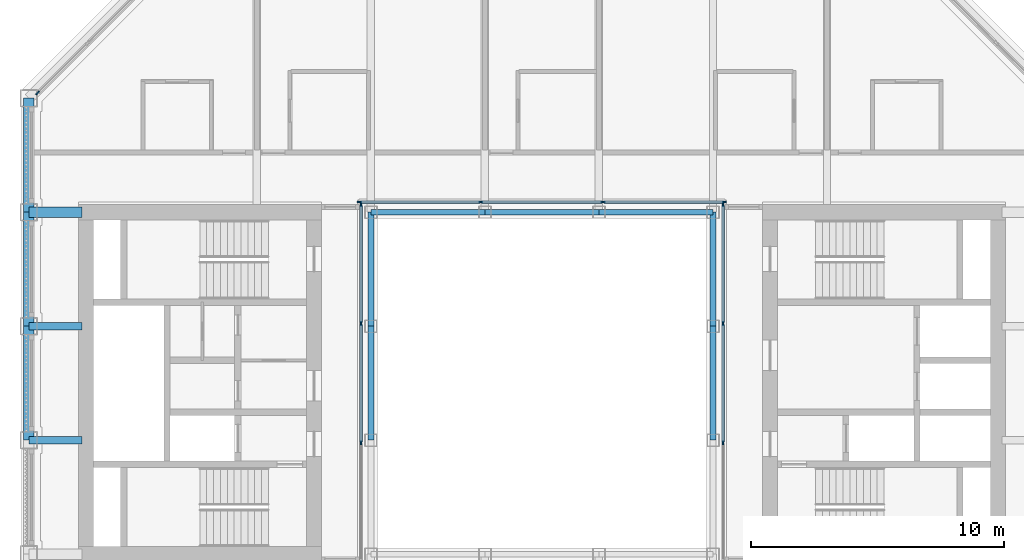
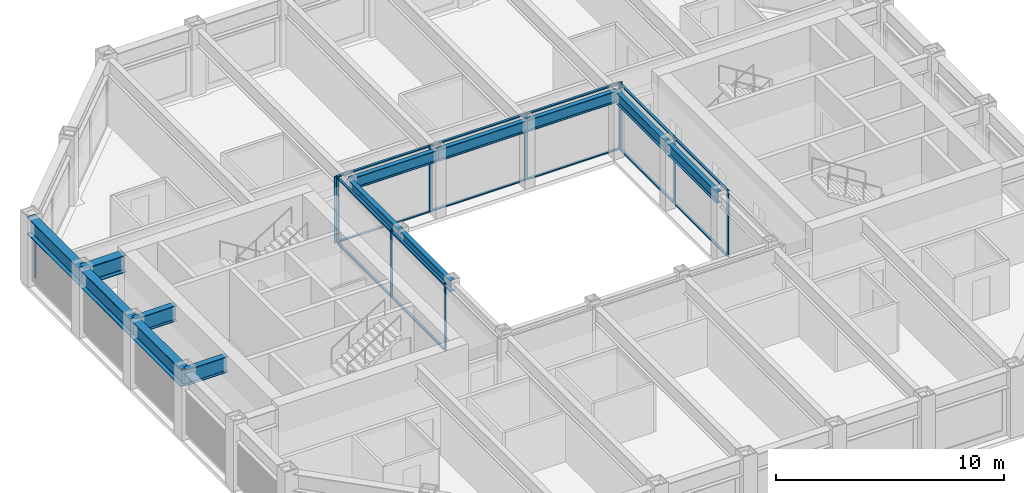
# One storey, part 4 of 16: 25 members, 13 beams, 4 elements without a shape of their own.
"""IFC4 building model written with IfcOpenShell, lengths in metres."""

from ifc_helpers import new_model, si_unit, direction, frame, origin, origin_2d, place, context, subcontext, project, spatial, rectangle, i_section, extrude, material, material_profile, profile_set, type_object, element, aggregate, save


model = new_model("IFC4")

# Units and contexts
model_context = context("Model", 3, precision=1e-05, world=origin(), true_north=direction((0.0, 1.0)))
body_context = subcontext(model_context, "Body", "Model", "MODEL_VIEW")
ifc_project = project(units=[si_unit("LENGTHUNIT", "METRE"), si_unit("AREAUNIT", "SQUARE_METRE"), si_unit("VOLUMEUNIT", "CUBIC_METRE"), si_unit("PLANEANGLEUNIT", "RADIAN"), si_unit("MASSUNIT", "GRAM", prefix="KILO")], contexts=[model_context])

# Site, building, storey
site_placement = place(None, origin())
site = spatial("IfcSite", under=ifc_project, at=site_placement, CompositionType="ELEMENT")
building_placement = place(site_placement, origin())
building = spatial("IfcBuilding", under=site, at=building_placement, Name="Msasa Ring Tower", CompositionType="ELEMENT")
storey_placement = place(building_placement, frame((0.0, 0.0, 215.800048828125)))
storey = spatial("IfcBuildingStorey", under=building, at=storey_placement, Name="L56", CompositionType="ELEMENT", Elevation=215.800048828125)

# Curtain wall, member
ifc_material_1 = material(Name="Aluminium curtain wall with clear glass", Category="aluminium")
curtain_wall_type_1 = type_object("IfcCurtainWallType", Name="CW-C CHAMFER CORNER CURTAIN WALL", PredefinedType="NOTDEFINED", material=ifc_material_1)
curtain_wall_1_placement = place(storey_placement, origin())
curtain_wall_1 = element("IfcCurtainWall", 1, at=curtain_wall_1_placement, inside=storey, type_object=curtain_wall_type_1, Name="Chamfer corner curtain wall NW L56", PredefinedType="NOTDEFINED")
ifc_material_2 = material(Name="Aluminium mullion", Category="aluminium")
ifc_material_profile_1 = material_profile(ifc_material_2, rectangle(XDim=0.06494140625, YDim=0.179931640625, at=origin_2d()), Name="AL 65x180")
ifc_profile_set_1 = profile_set([ifc_material_profile_1], Name="Aluminium mullion")
member_type_1 = type_object("IfcMemberType", Name="CW-C MULLION 65x180", PredefinedType="MULLION", material=ifc_profile_set_1)
member_1_placement = place(storey_placement, frame((-19.9052734375, 11.453369140625, 0.0), z_axis=(0.0, 0.0, 1.0), x_axis=(0.707106781187, -0.707106781187, 0.0)))
member_1 = element("IfcMember", 2, at=member_1_placement, type_object=member_type_1, Name="CW-C mullion 3", PredefinedType="MULLION", context=body_context, shape_type="SweptSolid", body=[
    extrude(rectangle(XDim=0.06494140625, YDim=0.179931640625, at=origin_2d()), origin(), (0.0, 0.0, 1.0), 2.62890625),
])
aggregate(curtain_wall_1, [member_1])

# Curtain wall, members
ifc_material_3 = material(Name="Aluminium curtain wall with clear glass", Category="aluminium")
curtain_wall_type_2 = type_object("IfcCurtainWallType", Name="CW-W LIGHT WELL CURTAIN WALL", PredefinedType="NOTDEFINED", material=ifc_material_3)
curtain_wall_2_placement = place(storey_placement, origin())
curtain_wall_2 = element("IfcCurtainWall", 3, at=curtain_wall_2_placement, inside=storey, type_object=curtain_wall_type_2, Name="Light well curtain wall N L56", PredefinedType="NOTDEFINED")
ifc_material_4 = material(Name="Aluminium mullion", Category="aluminium")
ifc_material_profile_2 = material_profile(ifc_material_4, rectangle(XDim=0.06005859375, YDim=0.159912109375, at=origin_2d()), Name="AL 60x160")
ifc_profile_set_2 = profile_set([ifc_material_profile_2], Name="Aluminium mullion")
member_type_2 = type_object("IfcMemberType", Name="CW-W MULLION 60x160", PredefinedType="MULLION", material=ifc_profile_set_2)
member_2_placement = place(storey_placement, frame((-7.199951171875, 7.14990234375, 0.0), z_axis=(0.0, 0.0, 1.0), x_axis=(0.0, 1.0, 0.0)))
member_2 = element("IfcMember", 4, at=member_2_placement, type_object=member_type_2, Name="CW-W mullion 1", PredefinedType="MULLION", context=body_context, shape_type="SweptSolid", body=[
    extrude(rectangle(XDim=0.06005859375, YDim=0.159912109375, at=origin_2d()), origin(), (0.0, 0.0, 1.0), 3.550048828125),
])
member_3_placement = place(storey_placement, frame((-2.409912109375, 7.14990234375, 0.0), z_axis=(0.0, 0.0, 1.0), x_axis=(0.0, 1.0, 0.0)))
member_3 = element("IfcMember", 5, at=member_3_placement, type_object=member_type_2, Name="CW-W mullion 2", PredefinedType="MULLION", context=body_context, shape_type="SweptSolid", body=[
    extrude(rectangle(XDim=0.06005859375, YDim=0.159912109375, at=origin_2d()), origin(), (0.0, 0.0, 1.0), 3.550048828125),
])
member_4_placement = place(storey_placement, frame((2.409912109375, 7.14990234375, 0.0), z_axis=(0.0, 0.0, 1.0), x_axis=(0.0, 1.0, 0.0)))
member_4 = element("IfcMember", 6, at=member_4_placement, type_object=member_type_2, Name="CW-W mullion 3", PredefinedType="MULLION", context=body_context, shape_type="SweptSolid", body=[
    extrude(rectangle(XDim=0.06005859375, YDim=0.159912109375, at=origin_2d()), origin(), (0.0, 0.0, 1.0), 3.550048828125),
])
member_5_placement = place(storey_placement, frame((7.199951171875, 7.14990234375, 0.0), z_axis=(0.0, 0.0, 1.0), x_axis=(0.0, 1.0, 0.0)))
member_5 = element("IfcMember", 7, at=member_5_placement, type_object=member_type_2, Name="CW-W mullion 4", PredefinedType="MULLION", context=body_context, shape_type="SweptSolid", body=[
    extrude(rectangle(XDim=0.06005859375, YDim=0.159912109375, at=origin_2d()), origin(), (0.0, 0.0, 1.0), 3.550048828125),
])

curtain_wall_3_placement = place(storey_placement, origin())
curtain_wall_3 = element("IfcCurtainWall", 8, at=curtain_wall_3_placement, inside=storey, type_object=curtain_wall_type_2, Name="Light well curtain wall E L56", PredefinedType="NOTDEFINED")
member_6_placement = place(storey_placement, frame((7.14990234375, -2.356689453125, 0.0), z_axis=(0.0, 0.0, 1.0), x_axis=(-1.0, 0.0, 0.0)))
member_6 = element("IfcMember", 9, at=member_6_placement, type_object=member_type_2, Name="CW-W mullion 2", PredefinedType="MULLION", context=body_context, shape_type="SweptSolid", body=[
    extrude(rectangle(XDim=0.06005859375, YDim=0.159912109375, at=origin_2d()), origin(), (0.0, 0.0, 1.0), 3.550048828125),
])
member_7_placement = place(storey_placement, frame((7.14990234375, 2.356689453125, 0.0), z_axis=(0.0, 0.0, 1.0), x_axis=(-1.0, 0.0, 0.0)))
member_7 = element("IfcMember", 10, at=member_7_placement, type_object=member_type_2, Name="CW-W mullion 3", PredefinedType="MULLION", context=body_context, shape_type="SweptSolid", body=[
    extrude(rectangle(XDim=0.06005859375, YDim=0.159912109375, at=origin_2d()), origin(), (0.0, 0.0, 1.0), 3.550048828125),
])
member_8_placement = place(storey_placement, frame((7.14990234375, 7.0400390625, 0.0), z_axis=(0.0, 0.0, 1.0), x_axis=(-1.0, 0.0, 0.0)))
member_8 = element("IfcMember", 11, at=member_8_placement, type_object=member_type_2, Name="CW-W mullion 4", PredefinedType="MULLION", context=body_context, shape_type="SweptSolid", body=[
    extrude(rectangle(XDim=0.06005859375, YDim=0.159912109375, at=origin_2d()), origin(), (0.0, 0.0, 1.0), 3.550048828125),
])

curtain_wall_4_placement = place(storey_placement, origin())
curtain_wall_4 = element("IfcCurtainWall", 12, at=curtain_wall_4_placement, inside=storey, type_object=curtain_wall_type_2, Name="Light well curtain wall W L56", PredefinedType="NOTDEFINED")
member_9_placement = place(storey_placement, frame((-7.14990234375, -2.356689453125, 0.0), z_axis=(0.0, 0.0, 1.0), x_axis=(-1.0, 0.0, 0.0)))
member_9 = element("IfcMember", 13, at=member_9_placement, type_object=member_type_2, Name="CW-W mullion 2", PredefinedType="MULLION", context=body_context, shape_type="SweptSolid", body=[
    extrude(rectangle(XDim=0.06005859375, YDim=0.159912109375, at=origin_2d()), origin(), (0.0, 0.0, 1.0), 3.550048828125),
])
member_10_placement = place(storey_placement, frame((-7.14990234375, 2.356689453125, 0.0), z_axis=(0.0, 0.0, 1.0), x_axis=(-1.0, 0.0, 0.0)))
member_10 = element("IfcMember", 14, at=member_10_placement, type_object=member_type_2, Name="CW-W mullion 3", PredefinedType="MULLION", context=body_context, shape_type="SweptSolid", body=[
    extrude(rectangle(XDim=0.06005859375, YDim=0.159912109375, at=origin_2d()), origin(), (0.0, 0.0, 1.0), 3.550048828125),
])
member_11_placement = place(storey_placement, frame((-7.14990234375, 7.0400390625, 0.0), z_axis=(0.0, 0.0, 1.0), x_axis=(-1.0, 0.0, 0.0)))
member_11 = element("IfcMember", 15, at=member_11_placement, type_object=member_type_2, Name="CW-W mullion 4", PredefinedType="MULLION", context=body_context, shape_type="SweptSolid", body=[
    extrude(rectangle(XDim=0.06005859375, YDim=0.159912109375, at=origin_2d()), origin(), (0.0, 0.0, 1.0), 3.550048828125),
])

# Member
ifc_material_5 = material(Name="Aluminium transom", Category="aluminium")
ifc_material_profile_3 = material_profile(ifc_material_5, rectangle(XDim=0.1201171875, YDim=0.06005859375, at=origin_2d()), Name="AL 60x120")
ifc_profile_set_3 = profile_set([ifc_material_profile_3], Name="Aluminium transom")
member_type_3 = type_object("IfcMemberType", Name="CW-W TRANSOM 60x120", PredefinedType="USERDEFINED", material=ifc_profile_set_3)
member_12_placement = place(storey_placement, frame((-7.169921875, 7.14990234375, 0.030029296875), z_axis=(1.0, 0.0, 0.0), x_axis=(0.0, 1.0, 0.0)))
member_12 = element("IfcMember", 16, at=member_12_placement, type_object=member_type_3, Name="CW-W transom 1.1", ObjectType="TRANSOM", PredefinedType="USERDEFINED", context=body_context, shape_type="SweptSolid", body=[
    extrude(rectangle(XDim=0.1201171875, YDim=0.06005859375, at=origin_2d()), origin(), (0.0, 0.0, 1.0), 4.72998046875),
])

member_13_placement = place(storey_placement, frame((-7.169921875, 7.14990234375, 3.52001953125), z_axis=(1.0, 0.0, 0.0), x_axis=(0.0, 1.0, 0.0)))
member_13 = element("IfcMember", 17, at=member_13_placement, type_object=member_type_3, Name="CW-W transom 1.2", ObjectType="TRANSOM", PredefinedType="USERDEFINED", context=body_context, shape_type="SweptSolid", body=[
    extrude(rectangle(XDim=0.1201171875, YDim=0.06005859375, at=origin_2d()), origin(), (0.0, 0.0, 1.0), 4.72998046875),
])

member_14_placement = place(storey_placement, frame((-2.3798828125, 7.14990234375, 0.030029296875), z_axis=(1.0, 0.0, 0.0), x_axis=(0.0, 1.0, 0.0)))
member_14 = element("IfcMember", 18, at=member_14_placement, type_object=member_type_3, Name="CW-W transom 2.1", ObjectType="TRANSOM", PredefinedType="USERDEFINED", context=body_context, shape_type="SweptSolid", body=[
    extrude(rectangle(XDim=0.1201171875, YDim=0.06005859375, at=origin_2d()), origin(), (0.0, 0.0, 1.0), 4.759765625),
])

member_15_placement = place(storey_placement, frame((-2.3798828125, 7.14990234375, 3.52001953125), z_axis=(1.0, 0.0, 0.0), x_axis=(0.0, 1.0, 0.0)))
member_15 = element("IfcMember", 19, at=member_15_placement, type_object=member_type_3, Name="CW-W transom 2.2", ObjectType="TRANSOM", PredefinedType="USERDEFINED", context=body_context, shape_type="SweptSolid", body=[
    extrude(rectangle(XDim=0.1201171875, YDim=0.06005859375, at=origin_2d()), origin(), (0.0, 0.0, 1.0), 4.759765625),
])

member_16_placement = place(storey_placement, frame((2.43994140625, 7.14990234375, 0.030029296875), z_axis=(1.0, 0.0, 0.0), x_axis=(0.0, 1.0, 0.0)))
member_16 = element("IfcMember", 20, at=member_16_placement, type_object=member_type_3, Name="CW-W transom 3.1", ObjectType="TRANSOM", PredefinedType="USERDEFINED", context=body_context, shape_type="SweptSolid", body=[
    extrude(rectangle(XDim=0.1201171875, YDim=0.06005859375, at=origin_2d()), origin(), (0.0, 0.0, 1.0), 4.72998046875),
])

member_17_placement = place(storey_placement, frame((2.43994140625, 7.14990234375, 3.52001953125), z_axis=(1.0, 0.0, 0.0), x_axis=(0.0, 1.0, 0.0)))
member_17 = element("IfcMember", 21, at=member_17_placement, type_object=member_type_3, Name="CW-W transom 3.2", ObjectType="TRANSOM", PredefinedType="USERDEFINED", context=body_context, shape_type="SweptSolid", body=[
    extrude(rectangle(XDim=0.1201171875, YDim=0.06005859375, at=origin_2d()), origin(), (0.0, 0.0, 1.0), 4.72998046875),
])

aggregate(curtain_wall_2, [member_2, member_3, member_4, member_5, member_12, member_13, member_14, member_15, member_16, member_17])

member_18_placement = place(storey_placement, frame((7.14990234375, -2.32666015625, 0.030029296875), z_axis=(0.0, 1.0, 0.0), x_axis=(-1.0, 0.0, 0.0)))
member_18 = element("IfcMember", 22, at=member_18_placement, type_object=member_type_3, Name="CW-W transom 2.1", ObjectType="TRANSOM", PredefinedType="USERDEFINED", context=body_context, shape_type="SweptSolid", body=[
    extrude(rectangle(XDim=0.1201171875, YDim=0.06005859375, at=origin_2d()), origin(), (0.0, 0.0, 1.0), 4.6533203125),
])

member_19_placement = place(storey_placement, frame((7.14990234375, -2.32666015625, 3.52001953125), z_axis=(0.0, 1.0, 0.0), x_axis=(-1.0, 0.0, 0.0)))
member_19 = element("IfcMember", 23, at=member_19_placement, type_object=member_type_3, Name="CW-W transom 2.2", ObjectType="TRANSOM", PredefinedType="USERDEFINED", context=body_context, shape_type="SweptSolid", body=[
    extrude(rectangle(XDim=0.1201171875, YDim=0.06005859375, at=origin_2d()), origin(), (0.0, 0.0, 1.0), 4.6533203125),
])

member_20_placement = place(storey_placement, frame((7.14990234375, 2.38671875, 0.030029296875), z_axis=(0.0, 1.0, 0.0), x_axis=(-1.0, 0.0, 0.0)))
member_20 = element("IfcMember", 24, at=member_20_placement, type_object=member_type_3, Name="CW-W transom 3.1", ObjectType="TRANSOM", PredefinedType="USERDEFINED", context=body_context, shape_type="SweptSolid", body=[
    extrude(rectangle(XDim=0.1201171875, YDim=0.06005859375, at=origin_2d()), origin(), (0.0, 0.0, 1.0), 4.623291015625),
])

member_21_placement = place(storey_placement, frame((7.14990234375, 2.38671875, 3.52001953125), z_axis=(0.0, 1.0, 0.0), x_axis=(-1.0, 0.0, 0.0)))
member_21 = element("IfcMember", 25, at=member_21_placement, type_object=member_type_3, Name="CW-W transom 3.2", ObjectType="TRANSOM", PredefinedType="USERDEFINED", context=body_context, shape_type="SweptSolid", body=[
    extrude(rectangle(XDim=0.1201171875, YDim=0.06005859375, at=origin_2d()), origin(), (0.0, 0.0, 1.0), 4.623291015625),
])

aggregate(curtain_wall_3, [member_6, member_7, member_8, member_18, member_19, member_20, member_21])

member_22_placement = place(storey_placement, frame((-7.14990234375, -2.32666015625, 0.030029296875), z_axis=(0.0, 1.0, 0.0), x_axis=(-1.0, 0.0, 0.0)))
member_22 = element("IfcMember", 26, at=member_22_placement, type_object=member_type_3, Name="CW-W transom 2.1", ObjectType="TRANSOM", PredefinedType="USERDEFINED", context=body_context, shape_type="SweptSolid", body=[
    extrude(rectangle(XDim=0.1201171875, YDim=0.06005859375, at=origin_2d()), origin(), (0.0, 0.0, 1.0), 4.6533203125),
])

member_23_placement = place(storey_placement, frame((-7.14990234375, -2.32666015625, 3.52001953125), z_axis=(0.0, 1.0, 0.0), x_axis=(-1.0, 0.0, 0.0)))
member_23 = element("IfcMember", 27, at=member_23_placement, type_object=member_type_3, Name="CW-W transom 2.2", ObjectType="TRANSOM", PredefinedType="USERDEFINED", context=body_context, shape_type="SweptSolid", body=[
    extrude(rectangle(XDim=0.1201171875, YDim=0.06005859375, at=origin_2d()), origin(), (0.0, 0.0, 1.0), 4.6533203125),
])

member_24_placement = place(storey_placement, frame((-7.14990234375, 2.38671875, 0.030029296875), z_axis=(0.0, 1.0, 0.0), x_axis=(-1.0, 0.0, 0.0)))
member_24 = element("IfcMember", 28, at=member_24_placement, type_object=member_type_3, Name="CW-W transom 3.1", ObjectType="TRANSOM", PredefinedType="USERDEFINED", context=body_context, shape_type="SweptSolid", body=[
    extrude(rectangle(XDim=0.1201171875, YDim=0.06005859375, at=origin_2d()), origin(), (0.0, 0.0, 1.0), 4.623291015625),
])

member_25_placement = place(storey_placement, frame((-7.14990234375, 2.38671875, 3.52001953125), z_axis=(0.0, 1.0, 0.0), x_axis=(-1.0, 0.0, 0.0)))
member_25 = element("IfcMember", 29, at=member_25_placement, type_object=member_type_3, Name="CW-W transom 3.2", ObjectType="TRANSOM", PredefinedType="USERDEFINED", context=body_context, shape_type="SweptSolid", body=[
    extrude(rectangle(XDim=0.1201171875, YDim=0.06005859375, at=origin_2d()), origin(), (0.0, 0.0, 1.0), 4.623291015625),
])

aggregate(curtain_wall_4, [member_9, member_10, member_11, member_22, member_23, member_24, member_25])

# Beams
ifc_material_6 = material(Name="Steel S355", Category="steel")
ifc_material_profile_4 = material_profile(ifc_material_6, i_section(OverallWidth=0.293701171875, OverallDepth=0.850830078125, WebThickness=0.01611328125, FlangeThickness=0.02685546875, FilletRadius=0.017822265625, at=origin_2d()), Name="UB 838x292x226")
ifc_profile_set_4 = profile_set([ifc_material_profile_4], Name="Steel S355")
beam_type_1 = type_object("IfcBeamType", Name="FB5 UB 838x292x226", PredefinedType="BEAM", material=ifc_profile_set_4)
for number, where, z_axis, x_axis, name in (
    (30, (-20.25, -2.25, 3.12451171875), (1.0, 0.0, 0.0), (0.0, 1.0, 0.0), "Floor beam W -2.25 under L57"),
    (31, (-20.25, 2.25, 3.12451171875), (1.0, 0.0, 0.0), (0.0, 1.0, 0.0), "Floor beam W +2.25 under L57"),
):
    element("IfcBeam", number, at=place(storey_placement, frame(where, z_axis=z_axis, x_axis=x_axis)), inside=storey, type_object=beam_type_1, Name=name, PredefinedType="BEAM", context=body_context, shape_type="SweptSolid", body=[
        extrude(i_section(OverallWidth=0.293701171875, OverallDepth=0.850830078125, WebThickness=0.01611328125, FlangeThickness=0.02685546875, FilletRadius=0.017822265625, at=origin_2d()), origin(), (0.0, 0.0, 1.0), 2.10009765625),
    ])
ifc_material_7 = material(Name="Steel S355", Category="steel")
ifc_material_profile_5 = material_profile(ifc_material_7, i_section(OverallWidth=0.42041015625, OverallDepth=0.9208984375, WebThickness=0.021484375, FlangeThickness=0.03662109375, FilletRadius=0.024169921875, at=origin_2d()), Name="UB 914x419x388")
ifc_profile_set_5 = profile_set([ifc_material_profile_5], Name="Steel S355")
beam_type_2 = type_object("IfcBeamType", Name="GB1 UB 914x419x388", PredefinedType="BEAM", material=ifc_profile_set_5)
beam_placement = place(storey_placement, frame((-18.14990234375, 6.75, 3.08935546875), z_axis=(-1.0, 0.0, 0.0), x_axis=(0.0, -1.0, 0.0)))
element("IfcBeam", 32, at=beam_placement, inside=storey, type_object=beam_type_2, Name="Girder W +6.75 under L57", PredefinedType="BEAM", context=body_context, shape_type="SweptSolid", body=[
    extrude(i_section(OverallWidth=0.42041015625, OverallDepth=0.9208984375, WebThickness=0.021484375, FlangeThickness=0.03662109375, FilletRadius=0.024169921875, at=origin_2d()), origin(), (0.0, 0.0, 1.0), 2.10009765625),
])
ifc_material_8 = material(Name="Steel S355", Category="steel")
ifc_material_profile_6 = material_profile(ifc_material_8, i_section(OverallWidth=0.230224609375, OverallDepth=0.6171875, WebThickness=0.01318359375, FlangeThickness=0.022216796875, FilletRadius=0.0126953125, at=origin_2d()), Name="UB 610x229x140")
ifc_profile_set_6 = profile_set([ifc_material_profile_6], Name="Steel S355")
beam_type_3 = type_object("IfcBeamType", Name="RB1 UB 610x229x140", PredefinedType="BEAM", material=ifc_profile_set_6)
for number, where, z_axis, x_axis, name in (
    (33, (6.75, -2.25, 3.241455078125), (0.0, 1.0, 0.0), (-1.0, 0.0, 0.0), "Inner ring beam IR+6.75-2.25 under L57"),
    (34, (6.75, 2.25, 3.241455078125), (0.0, 1.0, 0.0), (-1.0, 0.0, 0.0), "Inner ring beam IR+6.75+2.25 under L57"),
    (35, (6.75, 6.75, 3.241455078125), (-1.0, 0.0, 0.0), (0.0, -1.0, 0.0), "Inner ring beam IR+6.75+6.75 under L57"),
    (36, (2.25, 6.75, 3.241455078125), (-1.0, 0.0, 0.0), (0.0, -1.0, 0.0), "Inner ring beam IR+2.25+6.75 under L57"),
    (37, (-2.25, 6.75, 3.241455078125), (-1.0, 0.0, 0.0), (0.0, -1.0, 0.0), "Inner ring beam IR-2.25+6.75 under L57"),
    (38, (-6.75, 6.75, 3.241455078125), (0.0, -1.0, 0.0), (1.0, 0.0, 0.0), "Inner ring beam IR-6.75+6.75 under L57"),
    (39, (-6.75, 2.25, 3.241455078125), (0.0, -1.0, 0.0), (1.0, 0.0, 0.0), "Inner ring beam IR-6.75+2.25 under L57"),
):
    element("IfcBeam", number, at=place(storey_placement, frame(where, z_axis=z_axis, x_axis=x_axis)), inside=storey, type_object=beam_type_3, Name=name, PredefinedType="BEAM", context=body_context, shape_type="SweptSolid", body=[
        extrude(i_section(OverallWidth=0.230224609375, OverallDepth=0.6171875, WebThickness=0.01318359375, FlangeThickness=0.022216796875, FilletRadius=0.0126953125, at=origin_2d()), origin(), (0.0, 0.0, 1.0), 4.5),
    ])
ifc_material_9 = material(Name="Steel S355", Category="steel")
ifc_material_profile_7 = material_profile(ifc_material_9, i_section(OverallWidth=0.42041015625, OverallDepth=0.9208984375, WebThickness=0.021484375, FlangeThickness=0.03662109375, FilletRadius=0.024169921875, at=origin_2d()), Name="UB 914x419x388")
ifc_profile_set_7 = profile_set([ifc_material_profile_7], Name="Steel S355")
beam_type_4 = type_object("IfcBeamType", Name="SB1 UB 914x419x388", PredefinedType="SPANDREL", material=ifc_profile_set_7)
for number, where, z_axis, x_axis, name in (
    (40, (-20.25, 11.25, 3.08935546875), (0.0, -1.0, 0.0), (1.0, 0.0, 0.0), "Spandrel W+11.25 to W+6.75 under L57"),
    (41, (-20.25, 6.75, 3.08935546875), (0.0, -1.0, 0.0), (1.0, 0.0, 0.0), "Spandrel W+6.75 to W+2.25 under L57"),
    (42, (-20.25, 2.25, 3.08935546875), (0.0, -1.0, 0.0), (1.0, 0.0, 0.0), "Spandrel W+2.25 to W-2.25 under L57"),
):
    element("IfcBeam", number, at=place(storey_placement, frame(where, z_axis=z_axis, x_axis=x_axis)), inside=storey, type_object=beam_type_4, Name=name, PredefinedType="SPANDREL", context=body_context, shape_type="SweptSolid", body=[
        extrude(i_section(OverallWidth=0.42041015625, OverallDepth=0.9208984375, WebThickness=0.021484375, FlangeThickness=0.03662109375, FilletRadius=0.024169921875, at=origin_2d()), origin(), (0.0, 0.0, 1.0), 4.5),
    ])

save(model, "model.ifc")
